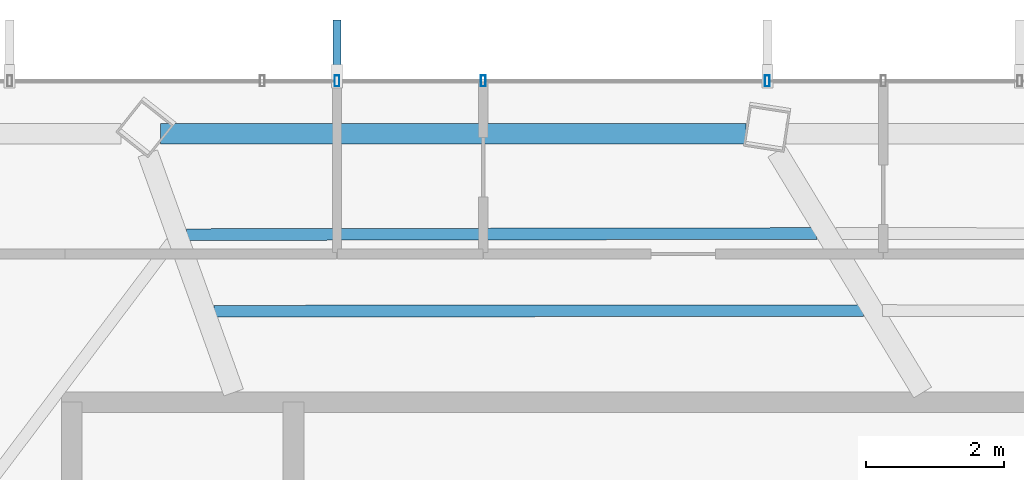
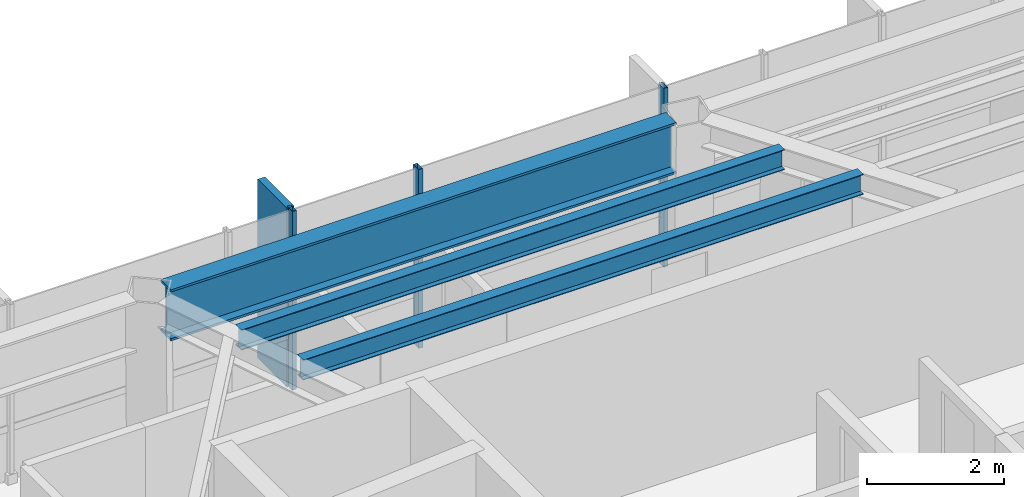
# One storey, part 12 of 25: 4 members, 3 beams, 1 element without a shape of its own.
"""IFC4 building model written with IfcOpenShell, lengths in metres."""

from ifc_helpers import new_model, si_unit, direction, frame, origin, origin_2d, place, context, subcontext, project, spatial, rectangle, hollow_rectangle, i_section, extrude, material, layer, layer_set, material_profile, profile_set, type_object, element, aggregate, save


model = new_model("IFC4")

# Units and contexts
model_context = context("Model", 3, precision=1e-05, world=origin(), true_north=direction((0.0, 1.0)))
body_context = subcontext(model_context, "Body", "Model", "MODEL_VIEW")
ifc_project = project(units=[si_unit("LENGTHUNIT", "METRE"), si_unit("AREAUNIT", "SQUARE_METRE"), si_unit("VOLUMEUNIT", "CUBIC_METRE"), si_unit("PLANEANGLEUNIT", "RADIAN"), si_unit("MASSUNIT", "GRAM", prefix="KILO")], contexts=[model_context])

# Site, building, storey
site_placement = place(None, origin())
site = spatial("IfcSite", under=ifc_project, at=site_placement, CompositionType="ELEMENT")
building_placement = place(site_placement, origin())
building = spatial("IfcBuilding", under=site, at=building_placement, Name="Zarrinselat Tower", CompositionType="ELEMENT")
storey_placement = place(building_placement, frame((0.0, 0.0, 246.159912109375)))
storey = spatial("IfcBuildingStorey", under=building, at=storey_placement, Name="L62", CompositionType="ELEMENT", Elevation=246.159912109375)

# Beams
ifc_material_1 = material(Name="Steel S460M", Category="steel")
ifc_material_profile_1 = material_profile(ifc_material_1, i_section(OverallWidth=0.302001953125, OverallDepth=0.909912109375, WebThickness=0.02099609375, FlangeThickness=0.0400390625, at=origin_2d()), Name="HEM 900")
ifc_profile_set_1 = profile_set([ifc_material_profile_1], Name="Steel S460M")
beam_type_1 = type_object("IfcBeamType", Name="BM-HEM900", PredefinedType="BEAM", material=ifc_profile_set_1)
beam_1_placement = place(storey_placement, frame((29.939697265625, 47.29443359375, 2.72509765625), z_axis=(1.0, 0.0, 0.0), x_axis=(0.0, 1.0, 0.0)))
element("IfcBeam", 1, at=beam_1_placement, inside=storey, type_object=beam_type_1, Name="L62 Perimeter Spandrel Girder SP03", PredefinedType="BEAM", context=body_context, shape_type="SweptSolid", body=[
    extrude(i_section(OverallWidth=0.302001953125, OverallDepth=0.909912109375, WebThickness=0.02099609375, FlangeThickness=0.0400390625, at=origin_2d()), origin(), (0.0, 0.0, 1.0), 8.4990234375),
])
ifc_material_2 = material(Name="Steel S355J2", Category="steel")
ifc_material_profile_2 = material_profile(ifc_material_2, i_section(OverallWidth=0.169921875, OverallDepth=0.360107421875, WebThickness=0.008056640625, FlangeThickness=0.0126953125, at=origin_2d()), Name="IPE 360")
ifc_profile_set_2 = profile_set([ifc_material_profile_2], Name="Steel S355J2")
beam_type_2 = type_object("IfcBeamType", Name="BM-IPE360", PredefinedType="JOIST", material=ifc_profile_set_2)
beam_2_placement = place(storey_placement, frame((30.3173828125, 45.830810546875, 3.0), z_axis=(0.999998400505, 0.001788571619, 0.0), x_axis=(-0.001788571619, 0.999998400505, 0.0)))
element("IfcBeam", 2, at=beam_2_placement, inside=storey, type_object=beam_type_2, Name="L62 Composite Floor Joist 8-1", PredefinedType="JOIST", context=body_context, shape_type="SweptSolid", body=[
    extrude(i_section(OverallWidth=0.169921875, OverallDepth=0.360107421875, WebThickness=0.008056640625, FlangeThickness=0.0126953125, at=origin_2d()), origin(), (0.0, 0.0, 1.0), 9.1455078125),
])
beam_3_placement = place(storey_placement, frame((30.71630859375, 44.719970703125, 3.0), z_axis=(0.999999588937, 0.000906711889, 0.0), x_axis=(-0.000906711889, 0.999999588937, 0.0)))
element("IfcBeam", 3, at=beam_3_placement, inside=storey, type_object=beam_type_2, Name="L62 Composite Floor Joist 8-2", PredefinedType="JOIST", context=body_context, shape_type="SweptSolid", body=[
    extrude(i_section(OverallWidth=0.169921875, OverallDepth=0.360107421875, WebThickness=0.008056640625, FlangeThickness=0.0126953125, at=origin_2d()), origin(), (0.0, 0.0, 1.0), 9.424072265625),
])

# Curtain wall, members
ifc_material_3 = material(Name="Extruded Aluminium Alloy EN AW-6063 T6", Category="aluminium")
ifc_layer = layer(ifc_material_3, 0.169921875)
ifc_layer_set = layer_set([ifc_layer], Name="Extruded Aluminium Alloy EN AW-6063 T6")
curtain_wall_type = type_object("IfcCurtainWallType", Name="CWS-RES", PredefinedType="NOTDEFINED", material=ifc_layer_set)
curtain_wall_placement = place(storey_placement, origin())
curtain_wall = element("IfcCurtainWall", 4, at=curtain_wall_placement, inside=storey, type_object=curtain_wall_type, Name="L62 Unitised Curtain Wall CW-L62-E01", PredefinedType="NOTDEFINED")
ifc_material_4 = material(Name="Extruded Aluminium Alloy EN AW-6063 T6", Category="aluminium")
ifc_material_profile_3 = material_profile(ifc_material_4, hollow_rectangle(XDim=0.070068359375, YDim=0.159912109375, WallThickness=0.00390625, at=origin_2d()), Name="RHS 160x70x4")
ifc_profile_set_3 = profile_set([ifc_material_profile_3], Name="Extruded Aluminium Alloy EN AW-6063 T6")
member_type_1 = type_object("IfcMemberType", Name="MEM-CW-MUL2", PredefinedType="MULLION", material=ifc_profile_set_3)
member_1_placement = place(storey_placement, frame((38.744873046875, 48.06103515625, 0.0), z_axis=(0.0, 0.0, 1.0), x_axis=(-1.0, 0.0, 0.0)))
member_1 = element("IfcMember", 5, at=member_1_placement, type_object=member_type_1, Name="CW-L62-E01 Mullion 7", PredefinedType="MULLION", context=body_context, shape_type="SweptSolid", body=[
    extrude(hollow_rectangle(XDim=0.070068359375, YDim=0.159912109375, WallThickness=0.00390625, at=origin_2d()), origin(), (0.0, 0.0, 1.0), 3.18017578125),
])
member_2_placement = place(storey_placement, frame((34.6240234375, 48.06103515625, 0.0), z_axis=(0.0, 0.0, 1.0), x_axis=(-1.0, 0.0, 0.0)))
member_2 = element("IfcMember", 6, at=member_2_placement, type_object=member_type_1, Name="CW-L62-E01 Mullion 8", PredefinedType="MULLION", context=body_context, shape_type="SweptSolid", body=[
    extrude(hollow_rectangle(XDim=0.070068359375, YDim=0.159912109375, WallThickness=0.00390625, at=origin_2d()), origin(), (0.0, 0.0, 1.0), 3.18017578125),
])
member_3_placement = place(storey_placement, frame((32.5, 48.06103515625, 0.0), z_axis=(0.0, 0.0, 1.0), x_axis=(-1.0, 0.0, 0.0)))
member_3 = element("IfcMember", 7, at=member_3_placement, type_object=member_type_1, Name="CW-L62-E01 Mullion 9", PredefinedType="MULLION", context=body_context, shape_type="SweptSolid", body=[
    extrude(hollow_rectangle(XDim=0.070068359375, YDim=0.159912109375, WallThickness=0.00390625, at=origin_2d()), origin(), (0.0, 0.0, 1.0), 3.18017578125),
])
ifc_material_5 = material(Name="Honed Cream Travertine Stone", Category="masonry")
ifc_material_profile_4 = material_profile(ifc_material_5, rectangle(XDim=0.1201171875, YDim=0.85009765625, at=origin_2d()), Name="FIN 850x120")
ifc_profile_set_4 = profile_set([ifc_material_profile_4], Name="Honed Cream Travertine Stone")
member_type_2 = type_object("IfcMemberType", Name="MEM-STONE-FIN", PredefinedType="USERDEFINED", material=ifc_profile_set_4)
member_4_placement = place(storey_placement, frame((32.5, 48.52099609375, 0.0), z_axis=(0.0, 0.0, 1.0), x_axis=(1.0, 0.0, 0.0)))
member_4 = element("IfcMember", 8, at=member_4_placement, type_object=member_type_2, Name="L62 Stone Shading Fin CW-L62-E01-09", ObjectType="FIN", PredefinedType="USERDEFINED", context=body_context, shape_type="SweptSolid", body=[
    extrude(rectangle(XDim=0.1201171875, YDim=0.85009765625, at=origin_2d()), origin(), (0.0, 0.0, 1.0), 3.18017578125),
])
aggregate(curtain_wall, [member_1, member_2, member_3, member_4])

save(model, "model.ifc")
